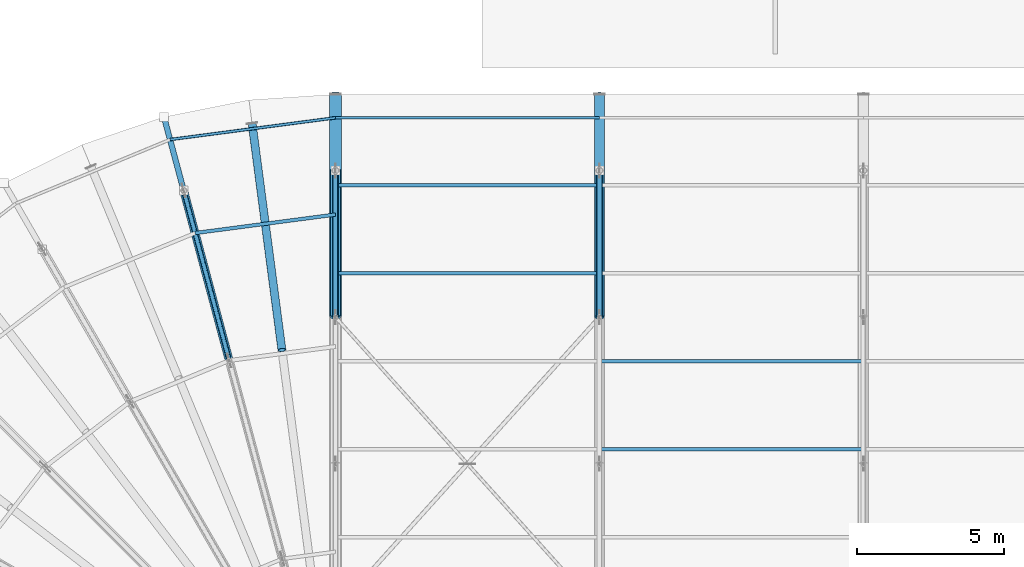
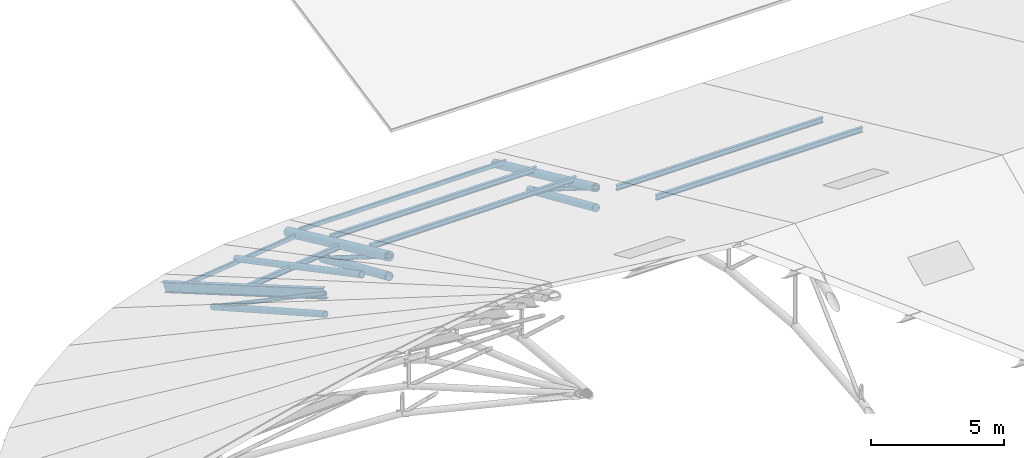
# One storey, part 43 of 107: 17 members.
"""IFC4 building model written with IfcOpenShell, lengths in metres."""

from ifc_helpers import new_model, si_unit, derived_unit, direction, frame, origin, origin_2d, place, context, subcontext, project, spatial, hollow_rectangle, hollow_circle, i_section, extrude, material, material_profile, profile_set, type_object, element, save


model = new_model("IFC4")

# Units and contexts
model_context = context("Model", 3, precision=1e-05, world=origin(), true_north=direction((0.0, 1.0)))
body_context = subcontext(model_context, "Body", "Model", "MODEL_VIEW")
ifc_project = project(units=[si_unit("LENGTHUNIT", "METRE"), si_unit("AREAUNIT", "SQUARE_METRE"), si_unit("VOLUMEUNIT", "CUBIC_METRE"), si_unit("PLANEANGLEUNIT", "RADIAN"), si_unit("MASSUNIT", "GRAM", prefix="KILO"), si_unit("THERMODYNAMICTEMPERATUREUNIT", "KELVIN"), si_unit("TIMEUNIT", "SECOND"), derived_unit("THERMALTRANSMITTANCEUNIT", [(si_unit("MASSUNIT", "GRAM", prefix="KILO"), 1), (si_unit("THERMODYNAMICTEMPERATUREUNIT", "KELVIN"), -1), (si_unit("TIMEUNIT", "SECOND"), -3)])], contexts=[model_context])

# Site, building, storey
site_placement = place(None, origin())
site = spatial("IfcSite", under=ifc_project, at=site_placement, CompositionType="ELEMENT")
building_placement = place(site_placement, origin())
building = spatial("IfcBuilding", under=site, at=building_placement, Name="Cambertide Market Hall", CompositionType="ELEMENT")
storey_placement = place(building_placement, frame((0.0, 0.0, 18.300048828125)))
storey = spatial("IfcBuildingStorey", under=building, at=storey_placement, Name="RF", CompositionType="ELEMENT", Elevation=18.300048828125)

# Members
ifc_material_1 = material(Name="Steel S355", Category="steel")
ifc_material_profile_1 = material_profile(ifc_material_1, hollow_circle(Radius=0.136474609375, WallThickness=0.010009765625, at=origin_2d()), Name="CHS 273x10")
ifc_profile_set_1 = profile_set([ifc_material_profile_1], Name="Steel S355")
member_type_1 = type_object("IfcMemberType", Name="Arched Truss Chord CHS 273x10", PredefinedType="CHORD", material=ifc_profile_set_1)
member_1_placement = place(storey_placement, frame((38.37646484375, 85.52294921875, -7.756103515625), z_axis=(-0.23710402823, 0.885001969521, -0.400690895506), x_axis=(-0.965934430412, -0.258786931944, 0.0)))
element("IfcMember", 1, at=member_1_placement, inside=storey, type_object=member_type_1, Name="Half-Cone Radial Arch Chord W-02-3", PredefinedType="CHORD", context=body_context, shape_type="SweptSolid", body=[
    extrude(hollow_circle(Radius=0.136474609375, WallThickness=0.010009765625, at=origin_2d()), origin(), (0.0, 0.0, 1.0), 6.548828125),
])
ifc_material_2 = material(Name="Steel S355", Category="steel")
ifc_material_profile_2 = material_profile(ifc_material_2, hollow_circle(Radius=0.161865234375, WallThickness=0.010009765625, at=origin_2d()), Name="CHS 323.9x10")
ifc_profile_set_2 = profile_set([ifc_material_profile_2], Name="Steel S355")
member_type_2 = type_object("IfcMemberType", Name="Arched Truss Chord CHS 323.9x10", PredefinedType="CHORD", material=ifc_profile_set_2)
member_2_placement = place(storey_placement, frame((51.0, 87.0, -8.1767578125), z_axis=(0.0, 0.915087583381, -0.403255148438), x_axis=(-1.0, 0.0, 0.0)))
element("IfcMember", 2, at=member_2_placement, inside=storey, type_object=member_type_2, Name="Roof Truss 2 Arched Bottom Chord 8", PredefinedType="CHORD", context=body_context, shape_type="SweptSolid", body=[
    extrude(hollow_circle(Radius=0.161865234375, WallThickness=0.010009765625, at=origin_2d()), origin(), (0.0, 0.0, 1.0), 5.4638671875),
])
ifc_material_3 = material(Name="Steel S355", Category="steel")
ifc_material_profile_3 = material_profile(ifc_material_3, hollow_circle(Radius=0.177734375, WallThickness=0.012451171875, at=origin_2d()), Name="CHS 355.6x12.5")
ifc_profile_set_3 = profile_set([ifc_material_profile_3], Name="Steel S355")
member_type_3 = type_object("IfcMemberType", Name="Arched Truss Chord CHS 355.6x12.5", PredefinedType="CHORD", material=ifc_profile_set_3)
member_3_placement = place(storey_placement, frame((42.0, 87.0, -8.1767578125), z_axis=(0.0, 0.915087583381, -0.403255148438), x_axis=(-1.0, 0.0, 0.0)))
element("IfcMember", 3, at=member_3_placement, inside=storey, type_object=member_type_3, Name="Roof Truss 1 Arched Bottom Chord 8", PredefinedType="CHORD", context=body_context, shape_type="SweptSolid", body=[
    extrude(hollow_circle(Radius=0.177734375, WallThickness=0.012451171875, at=origin_2d()), origin(), (0.0, 0.0, 1.0), 5.4638671875),
])
ifc_material_4 = material(Name="Steel S355", Category="steel")
ifc_material_profile_4 = material_profile(ifc_material_4, hollow_circle(Radius=0.177734375, WallThickness=0.012451171875, at=origin_2d()), Name="CHS 355.6x12.5")
ifc_profile_set_4 = profile_set([ifc_material_profile_4], Name="Steel S355")
member_type_4 = type_object("IfcMemberType", Name="Exterior Arched Truss Chord CHS 355.6x12.5", PredefinedType="CHORD", material=ifc_profile_set_4)
member_4_placement = place(storey_placement, frame((51.0, 87.0, -7.25), z_axis=(0.0, 0.908488236671, -0.417910425606), x_axis=(-1.0, 0.0, 0.0)))
element("IfcMember", 4, at=member_4_placement, inside=storey, type_object=member_type_4, Name="Roof Truss 2 Top Chord 8", PredefinedType="CHORD", context=body_context, shape_type="SweptSolid", body=[
    extrude(hollow_circle(Radius=0.177734375, WallThickness=0.012451171875, at=origin_2d()), origin(), (0.0, 0.0, 1.0), 8.36572265625),
])
ifc_material_5 = material(Name="Steel S355", Category="steel")
ifc_material_profile_5 = material_profile(ifc_material_5, hollow_circle(Radius=0.203125, WallThickness=0.01416015625, at=origin_2d()), Name="CHS 406.4x14.2")
ifc_profile_set_5 = profile_set([ifc_material_profile_5], Name="Steel S355")
member_type_5 = type_object("IfcMemberType", Name="Exterior Arched Truss Chord CHS 406.4x14.2", PredefinedType="CHORD", material=ifc_profile_set_5)
member_5_placement = place(storey_placement, frame((42.0, 87.0, -7.25), z_axis=(0.0, 0.908488236671, -0.417910425606), x_axis=(-1.0, 0.0, 0.0)))
element("IfcMember", 5, at=member_5_placement, inside=storey, type_object=member_type_5, Name="Roof Truss 1 Top Chord 8", PredefinedType="CHORD", context=body_context, shape_type="SweptSolid", body=[
    extrude(hollow_circle(Radius=0.203125, WallThickness=0.01416015625, at=origin_2d()), origin(), (0.0, 0.0, 1.0), 8.36572265625),
])
ifc_material_6 = material(Name="Steel S355", Category="steel")
ifc_material_profile_6 = material_profile(ifc_material_6, hollow_circle(Radius=0.136474609375, WallThickness=0.010009765625, at=origin_2d()), Name="CHS 273x10")
ifc_profile_set_6 = profile_set([ifc_material_profile_6], Name="Steel S355")
member_type_6 = type_object("IfcMemberType", Name="Exterior Radial Fan Rafter CHS 273x10", PredefinedType="RAFTER", material=ifc_profile_set_6)
member_6_placement = place(storey_placement, frame((40.172607421875, 85.880126953125, -6.7900390625), z_axis=(-0.118576480501, 0.900726282096, -0.417889678043), x_axis=(-0.991445770734, -0.130519284757, 0.0)))
element("IfcMember", 6, at=member_6_placement, inside=storey, type_object=member_type_6, Name="RAF-W-01-B", PredefinedType="RAFTER", context=body_context, shape_type="SweptSolid", body=[
    extrude(hollow_circle(Radius=0.136474609375, WallThickness=0.010009765625, at=origin_2d()), origin(), (0.0, 0.0, 1.0), 8.585693359375),
])
ifc_material_7 = material(Name="Steel S355", Category="steel")
ifc_material_profile_7 = material_profile(ifc_material_7, i_section(OverallWidth=0.18994140625, OverallDepth=0.449951171875, WebThickness=0.009521484375, FlangeThickness=0.0146484375, FilletRadius=0.02099609375, at=origin_2d()), Name="IPE 450")
ifc_profile_set_7 = profile_set([ifc_material_profile_7], Name="Steel S355")
member_type_7 = type_object("IfcMemberType", Name="Exterior Radial Fan Rafter IPE 450", PredefinedType="RAFTER", material=ifc_profile_set_7)
member_7_placement = place(storey_placement, frame((38.37646484375, 85.52294921875, -6.7900390625), z_axis=(-0.235134381364, 0.877530692762, -0.417913514931), x_axis=(-0.965925622404, -0.258819806009, 0.0)))
element("IfcMember", 7, at=member_7_placement, inside=storey, type_object=member_type_7, Name="Half-Cone Radial Truss Rafter W-02-3", PredefinedType="RAFTER", context=body_context, shape_type="SweptSolid", body=[
    extrude(i_section(OverallWidth=0.18994140625, OverallDepth=0.449951171875, WebThickness=0.009521484375, FlangeThickness=0.0146484375, FilletRadius=0.02099609375, at=origin_2d()), origin(), (0.0, 0.0, 1.0), 9.46630859375),
])
ifc_material_8 = material(Name="Steel S275", Category="steel")
ifc_material_profile_8 = material_profile(ifc_material_8, hollow_rectangle(XDim=0.10009765625, YDim=0.199951171875, WallThickness=0.00634765625, InnerFilletRadius=0.00634765625, OuterFilletRadius=0.0126953125, at=origin_2d()), Name="RHS 200x100x6.3")
ifc_profile_set_8 = profile_set([ifc_material_profile_8], Name="Steel S275")
member_type_8 = type_object("IfcMemberType", Name="Exterior Roof Purlin RHS 200x100x6.3", PredefinedType="PURLIN", material=ifc_profile_set_8)
member_8_placement = place(storey_placement, frame((42.0, 93.800048828125, -10.16796875), z_axis=(1.0, 0.0, 0.0), x_axis=(0.0, 1.0, 0.0)))
element("IfcMember", 8, at=member_8_placement, inside=storey, type_object=member_type_8, Name="Barrel Roof Purlin 1-16", PredefinedType="PURLIN", context=body_context, shape_type="SweptSolid", body=[
    extrude(hollow_rectangle(XDim=0.10009765625, YDim=0.199951171875, WallThickness=0.00634765625, InnerFilletRadius=0.00634765625, OuterFilletRadius=0.0126953125, at=origin_2d()), origin(), (0.0, 0.0, 1.0), 9.0),
])
member_9_placement = place(storey_placement, frame((42.0, 93.800048828125, -10.3779296875), z_axis=(-0.991442756491, -0.130542179395, 0.0), x_axis=(0.130542179395, -0.991442756491, 0.0)))
element("IfcMember", 9, at=member_9_placement, inside=storey, type_object=member_type_8, Name="CPUR-W-218-01", PredefinedType="PURLIN", context=body_context, shape_type="SweptSolid", body=[
    extrude(hollow_rectangle(XDim=0.10009765625, YDim=0.199951171875, WallThickness=0.00634765625, InnerFilletRadius=0.00634765625, OuterFilletRadius=0.0126953125, at=origin_2d()), origin(), (0.0, 0.0, 1.0), 5.69091796875),
])
ifc_material_9 = material(Name="Steel S275", Category="steel")
ifc_material_profile_9 = material_profile(ifc_material_9, i_section(OverallWidth=0.1201171875, OverallDepth=0.239990234375, WebThickness=0.006103515625, FlangeThickness=0.009765625, FilletRadius=0.014892578125, at=origin_2d()), Name="IPE 240")
ifc_profile_set_9 = profile_set([ifc_material_profile_9], Name="Steel S275")
member_type_9 = type_object("IfcMemberType", Name="Roof Purlin IPE 240", PredefinedType="PURLIN", material=ifc_profile_set_9)
for number, where, z_axis, x_axis, name in (
    (10, (42.0, 88.5, -7.72998046875), (1.0, 0.0, 0.0), (0.0, 1.0, 0.0), "Barrel Roof Purlin 1-14"),
    (11, (42.0, 91.5, -9.110107421875), (1.0, 0.0, 0.0), (0.0, 1.0, 0.0), "Barrel Roof Purlin 1-15"),
    (12, (51.0, 82.5, -4.969970703125), (1.0, 0.0, 0.0), (0.0, 1.0, 0.0), "Barrel Roof Purlin 2-12"),
    (13, (51.0, 85.5, -6.35009765625), (1.0, 0.0, 0.0), (0.0, 1.0, 0.0), "Barrel Roof Purlin 2-13"),
):
    element("IfcMember", number, at=place(storey_placement, frame(where, z_axis=z_axis, x_axis=x_axis)), inside=storey, type_object=member_type_9, Name=name, PredefinedType="PURLIN", context=body_context, shape_type="SweptSolid", body=[
        extrude(i_section(OverallWidth=0.1201171875, OverallDepth=0.239990234375, WebThickness=0.006103515625, FlangeThickness=0.009765625, FilletRadius=0.014892578125, at=origin_2d()), origin(), (0.0, 0.0, 1.0), 9.0),
    ])
member_10_placement = place(storey_placement, frame((42.0, 90.5, -8.860107421875), z_axis=(-0.991444657148, -0.130527743461, 0.0), x_axis=(0.130527743461, -0.991444657148, 0.0)))
element("IfcMember", 14, at=member_10_placement, inside=storey, type_object=member_type_9, Name="CPUR-W-185-01", PredefinedType="PURLIN", context=body_context, shape_type="SweptSolid", body=[
    extrude(i_section(OverallWidth=0.1201171875, OverallDepth=0.239990234375, WebThickness=0.006103515625, FlangeThickness=0.009765625, FilletRadius=0.014892578125, at=origin_2d()), origin(), (0.0, 0.0, 1.0), 4.829345703125),
])
ifc_material_10 = material(Name="Steel S355", Category="steel")
ifc_material_profile_10 = material_profile(ifc_material_10, hollow_circle(Radius=0.084228515625, WallThickness=0.00634765625, at=origin_2d()), Name="CHS 168.3x6.3")
ifc_profile_set_10 = profile_set([ifc_material_profile_10], Name="Steel S355")
member_type_10 = type_object("IfcMemberType", Name="Structural Brace CHS 168.3x6.3", PredefinedType="BRACE", material=ifc_profile_set_10)
member_11_placement = place(storey_placement, frame((36.82373046875, 91.318603515625, -10.380126953125), z_axis=(0.222070132815, -0.828887245737, 0.513449890415), x_axis=(0.965934430412, 0.258786931944, 0.0)))
element("IfcMember", 15, at=member_11_placement, inside=storey, type_object=member_type_10, Name="RWB-W-02-D3", PredefinedType="BRACE", context=body_context, shape_type="SweptSolid", body=[
    extrude(hollow_circle(Radius=0.084228515625, WallThickness=0.00634765625, at=origin_2d()), origin(), (0.0, 0.0, 1.0), 6.9921875),
])
ifc_material_11 = material(Name="Steel S355", Category="steel")
ifc_material_profile_11 = material_profile(ifc_material_11, hollow_circle(Radius=0.096923828125, WallThickness=0.00634765625, at=origin_2d()), Name="CHS 193.7x6.3")
ifc_profile_set_11 = profile_set([ifc_material_profile_11], Name="Steel S355")
member_type_11 = type_object("IfcMemberType", Name="Structural Brace CHS 193.7x6.3", PredefinedType="BRACE", material=ifc_profile_set_11)
for number, where, z_axis, x_axis, name in (
    (16, (42.0, 87.0, -7.25), (0.0, 0.847607454032, -0.530623787507), (-1.0, 0.0, 0.0), "Roof Truss 1 Web Diagonal 8"),
    (17, (51.0, 87.0, -7.25), (0.0, 0.847607454032, -0.530623787507), (-1.0, 0.0, 0.0), "Roof Truss 2 Web Diagonal 8"),
):
    element("IfcMember", number, at=place(storey_placement, frame(where, z_axis=z_axis, x_axis=x_axis)), inside=storey, type_object=member_type_11, Name=name, PredefinedType="BRACE", context=body_context, shape_type="SweptSolid", body=[
        extrude(hollow_circle(Radius=0.096923828125, WallThickness=0.00634765625, at=origin_2d()), origin(), (0.0, 0.0, 1.0), 5.89892578125),
    ])

save(model, "model.ifc")
